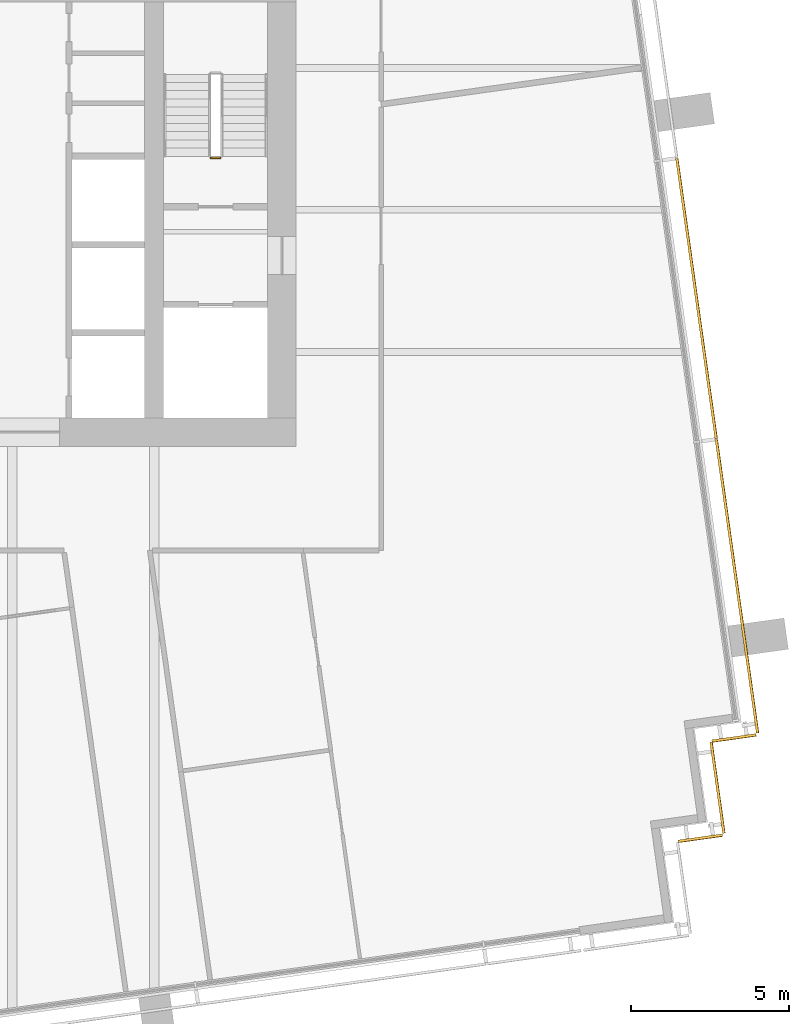
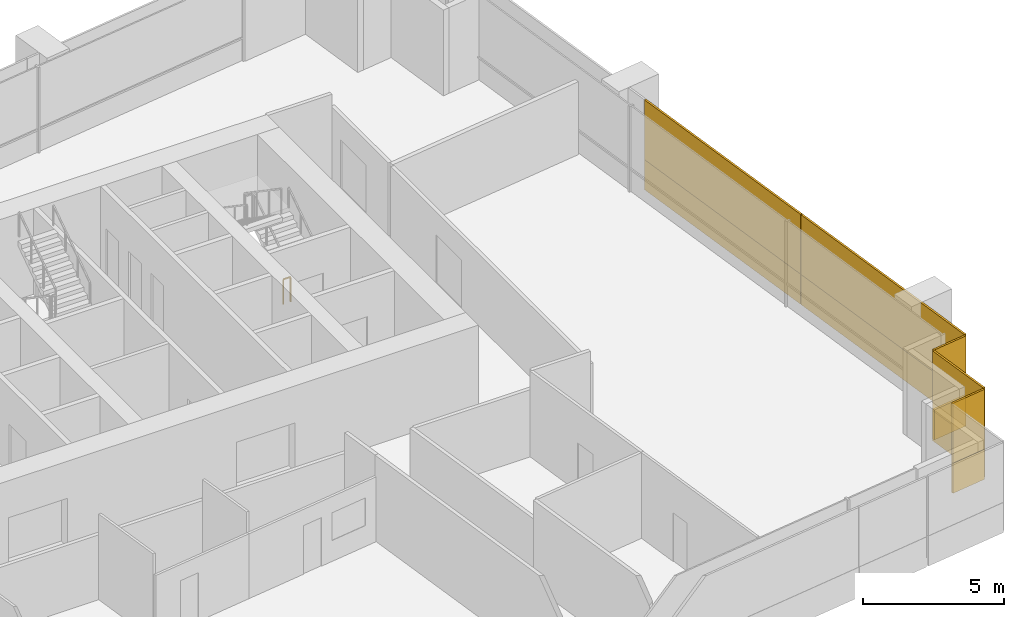
# One storey, part 15 of 17: 10 coverings, 1 railing.
"""IFC4 building model written with IfcOpenShell, lengths in metres."""

from ifc_helpers import new_model, si_unit, direction, frame, origin, origin_2d, place, context, subcontext, project, spatial, rectangle, extrude, material, layer, layer_set, type_object, element, save


model = new_model("IFC4")

# Units and contexts
model_context = context("Model", 3, precision=1e-05, world=origin(), true_north=direction((0.0, 1.0)))
body_context = subcontext(model_context, "Body", "Model", "MODEL_VIEW")
ifc_project = project(units=[si_unit("LENGTHUNIT", "METRE"), si_unit("AREAUNIT", "SQUARE_METRE"), si_unit("VOLUMEUNIT", "CUBIC_METRE"), si_unit("PLANEANGLEUNIT", "RADIAN"), si_unit("MASSUNIT", "GRAM", prefix="KILO")], contexts=[model_context])

# Site, building, storey
site_placement = place(None, origin())
site = spatial("IfcSite", under=ifc_project, at=site_placement, CompositionType="ELEMENT")
building_placement = place(site_placement, origin())
building = spatial("IfcBuilding", under=site, at=building_placement, Name="Rattan Terrace Tower", CompositionType="ELEMENT")
storey_placement = place(building_placement, frame((0.0, 0.0, 221.300048828125)))
storey = spatial("IfcBuildingStorey", under=building, at=storey_placement, Name="L50", CompositionType="ELEMENT", Elevation=221.300048828125)

# Railing
ifc_material_1 = material(Name="Powder-coated steel guard", Category="steel")
railing_type = type_object("IfcRailingType", Name="Core stair guard", PredefinedType="GUARDRAIL", material=ifc_material_1)
railing_placement = place(storey_placement, frame((15.60009765625, 1.64990234375, 0.0)))
element("IfcRailing", 1, at=railing_placement, inside=storey, type_object=railing_type, Name="L50 S2 stair guard 4", PredefinedType="GUARDRAIL", context=body_context, shape_type="SweptSolid", body=[
    extrude(rectangle(XDim=0.048095703125, YDim=0.048095703125, at=origin_2d()), frame((0.0, 0.0, 1.076171875), z_axis=(-1.0, 0.0, 0.0), x_axis=(0.0, -1.0, 0.0)), (0.0, 0.0, 1.0), 0.300048828125),
    extrude(rectangle(XDim=0.0419921875, YDim=0.0419921875, at=origin_2d()), origin(), (0.0, 0.0, 1.0), 1.052001953125),
    extrude(rectangle(XDim=0.0419921875, YDim=0.0419921875, at=origin_2d()), frame((-0.300048828125, 0.0, 0.0)), (0.0, 0.0, 1.0), 1.052001953125),
])

# Coverings
ifc_material_2 = material(Name="Solid terracotta", Category="masonry")
ifc_layer_1 = layer(ifc_material_2, 0.090087890625)
ifc_layer_set_1 = layer_set([ifc_layer_1], Name="Facade Terracotta Band Panel HZ")
covering_type_1 = type_object("IfcCoveringType", Name="Facade Terracotta Band Panel HZ", PredefinedType="CLADDING", material=ifc_layer_set_1)
covering_1_placement = place(storey_placement, frame((30.825927734375, -19.93212890625, -0.18994140625), z_axis=(0.0, 0.0, 1.0), x_axis=(0.990332587523, 0.138713251317, 0.0)))
element("IfcCovering", 2, at=covering_1_placement, inside=storey, type_object=covering_type_1, Name="OUTER SKIN panel L50-3A", PredefinedType="CLADDING", context=body_context, shape_type="SweptSolid", body=[
    extrude(rectangle(XDim=1.419677734375, YDim=0.090087890625, at=origin_2d()), origin(), (0.0, 0.0, 1.0), 1.300048828125),
])
covering_2_placement = place(storey_placement, frame((31.3720703125, -18.325439453125, -0.18994140625), z_axis=(0.0, 0.0, 1.0), x_axis=(-0.139321220646, 0.990247240581, 0.0)))
element("IfcCovering", 3, at=covering_2_placement, inside=storey, type_object=covering_type_1, Name="OUTER SKIN panel L50-4A", PredefinedType="CLADDING", context=body_context, shape_type="SweptSolid", body=[
    extrude(rectangle(XDim=2.92041015625, YDim=0.090087890625, at=origin_2d()), origin(), (0.0, 0.0, 1.0), 1.300048828125),
])
covering_3_placement = place(storey_placement, frame((31.893310546875, -16.752197265625, -0.18994140625), z_axis=(0.0, 0.0, 1.0), x_axis=(0.99025370695, 0.139275252184, 0.0)))
element("IfcCovering", 4, at=covering_3_placement, inside=storey, type_object=covering_type_1, Name="OUTER SKIN panel L50-5A", PredefinedType="CLADDING", context=body_context, shape_type="SweptSolid", body=[
    extrude(rectangle(XDim=1.420654296875, YDim=0.090087890625, at=origin_2d()), origin(), (0.0, 0.0, 1.0), 1.300048828125),
])
covering_4_placement = place(storey_placement, frame((31.9892578125, -11.93701171875, -0.18994140625), z_axis=(0.0, 0.0, 1.0), x_axis=(-0.139186165309, 0.990266232579, 0.0)))
element("IfcCovering", 5, at=covering_4_placement, inside=storey, type_object=covering_type_1, Name="OUTER SKIN panel L50-6A", PredefinedType="CLADDING", context=body_context, shape_type="SweptSolid", body=[
    extrude(rectangle(XDim=9.39990234375, YDim=0.090087890625, at=origin_2d()), origin(), (0.0, 0.0, 1.0), 1.300048828125),
])
covering_5_placement = place(storey_placement, frame((30.70751953125, -2.816650390625, -0.18994140625), z_axis=(0.0, 0.0, 1.0), x_axis=(-0.139186165309, 0.990266232579, 0.0)))
element("IfcCovering", 6, at=covering_5_placement, inside=storey, type_object=covering_type_1, Name="OUTER SKIN panel L50-7A", PredefinedType="CLADDING", context=body_context, shape_type="SweptSolid", body=[
    extrude(rectangle(XDim=8.97998046875, YDim=0.090087890625, at=origin_2d()), origin(), (0.0, 0.0, 1.0), 1.300048828125),
])
ifc_material_3 = material(Name="Perforated terracotta", Category="masonry")
ifc_layer_2 = layer(ifc_material_3, 0.080078125)
ifc_layer_set_2 = layer_set([ifc_layer_2], Name="Facade Terracotta Screen Panel HZ")
covering_type_2 = type_object("IfcCoveringType", Name="Facade Terracotta Screen Panel HZ", PredefinedType="CLADDING", material=ifc_layer_set_2)
covering_6_placement = place(storey_placement, frame((30.8251953125, -19.927001953125, 1.10986328125), z_axis=(0.0, 0.0, 1.0), x_axis=(0.990332587523, 0.138713251317, 0.0)))
element("IfcCovering", 7, at=covering_6_placement, inside=storey, type_object=covering_type_2, Name="OUTER SKIN panel L50-3B", PredefinedType="CLADDING", context=body_context, shape_type="SweptSolid", body=[
    extrude(rectangle(XDim=1.419677734375, YDim=0.080078125, at=origin_2d()), origin(), (0.0, 0.0, 1.0), 2.580078125),
])
covering_7_placement = place(storey_placement, frame((31.3671875, -18.326171875, 1.10986328125), z_axis=(0.0, 0.0, 1.0), x_axis=(-0.139321220646, 0.990247240581, 0.0)))
element("IfcCovering", 8, at=covering_7_placement, inside=storey, type_object=covering_type_2, Name="OUTER SKIN panel L50-4B", PredefinedType="CLADDING", context=body_context, shape_type="SweptSolid", body=[
    extrude(rectangle(XDim=2.92041015625, YDim=0.080078125, at=origin_2d()), origin(), (0.0, 0.0, 1.0), 2.580078125),
])
covering_8_placement = place(storey_placement, frame((31.892578125, -16.747314453125, 1.10986328125), z_axis=(0.0, 0.0, 1.0), x_axis=(0.99025370695, 0.139275252184, 0.0)))
element("IfcCovering", 9, at=covering_8_placement, inside=storey, type_object=covering_type_2, Name="OUTER SKIN panel L50-5B", PredefinedType="CLADDING", context=body_context, shape_type="SweptSolid", body=[
    extrude(rectangle(XDim=1.420654296875, YDim=0.080078125, at=origin_2d()), origin(), (0.0, 0.0, 1.0), 2.580078125),
])
covering_9_placement = place(storey_placement, frame((31.984375, -11.937744140625, 1.10986328125), z_axis=(0.0, 0.0, 1.0), x_axis=(-0.139186165309, 0.990266232579, 0.0)))
element("IfcCovering", 10, at=covering_9_placement, inside=storey, type_object=covering_type_2, Name="OUTER SKIN panel L50-6B", PredefinedType="CLADDING", context=body_context, shape_type="SweptSolid", body=[
    extrude(rectangle(XDim=9.39990234375, YDim=0.080078125, at=origin_2d()), origin(), (0.0, 0.0, 1.0), 2.580078125),
])
covering_10_placement = place(storey_placement, frame((30.702392578125, -2.8173828125, 1.10986328125), z_axis=(0.0, 0.0, 1.0), x_axis=(-0.139186165309, 0.990266232579, 0.0)))
element("IfcCovering", 11, at=covering_10_placement, inside=storey, type_object=covering_type_2, Name="OUTER SKIN panel L50-7B", PredefinedType="CLADDING", context=body_context, shape_type="SweptSolid", body=[
    extrude(rectangle(XDim=8.97998046875, YDim=0.080078125, at=origin_2d()), origin(), (0.0, 0.0, 1.0), 2.580078125),
])

save(model, "model.ifc")
